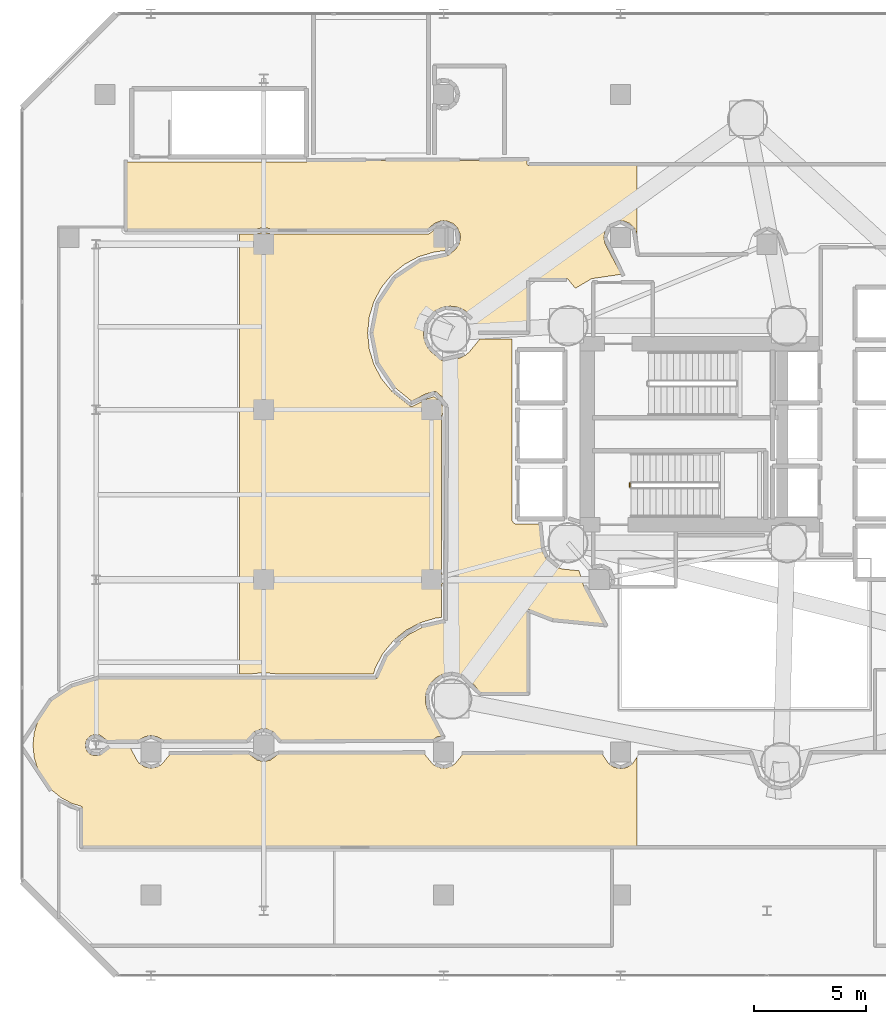
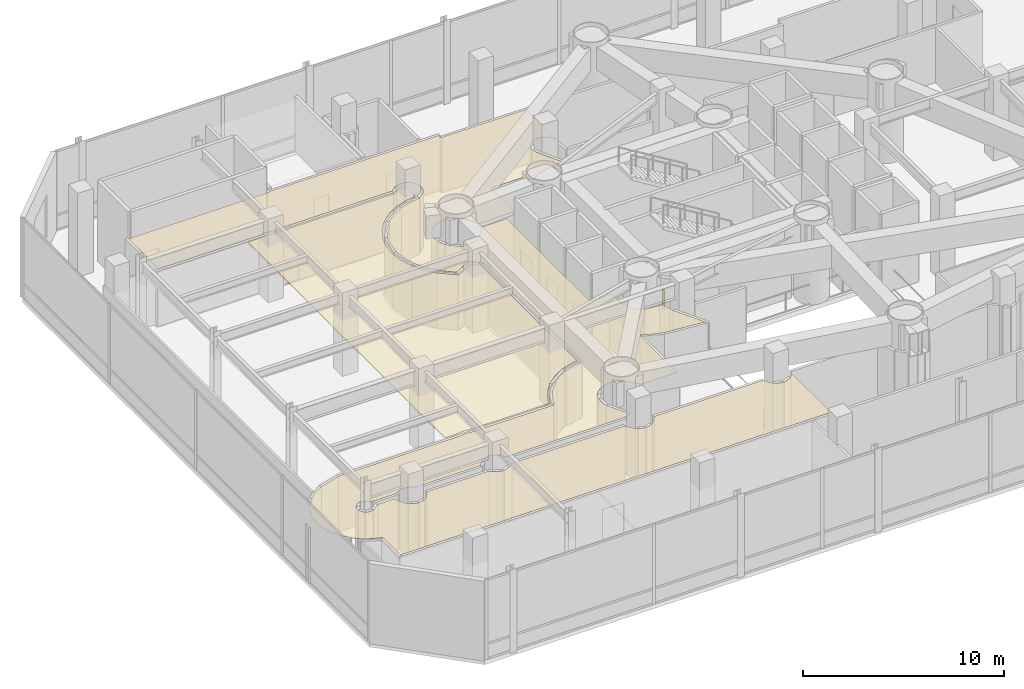
# One storey, part 36 of 40: 2 coverings, 1 railing.
"""IFC4 building model written with IfcOpenShell, lengths in metres."""

from ifc_helpers import new_model, si_unit, direction, frame, origin, origin_2d, place, context, subcontext, project, spatial, polyline, rectangle, outline, extrude, material, layer, layer_set, type_object, element, save


model = new_model("IFC4")

# Units and contexts
model_context = context("Model", 3, precision=1e-05, world=origin(), true_north=direction((0.0, 1.0)))
body_context = subcontext(model_context, "Body", "Model", "MODEL_VIEW")
ifc_project = project(units=[si_unit("LENGTHUNIT", "METRE"), si_unit("AREAUNIT", "SQUARE_METRE"), si_unit("VOLUMEUNIT", "CUBIC_METRE"), si_unit("PLANEANGLEUNIT", "RADIAN"), si_unit("MASSUNIT", "GRAM", prefix="KILO")], contexts=[model_context])

# Site, building, storey
site_placement = place(None, origin())
site = spatial("IfcSite", under=ifc_project, at=site_placement, CompositionType="ELEMENT")
building_placement = place(site_placement, origin())
building = spatial("IfcBuilding", under=site, at=building_placement, Name="Qianvela Tower", CompositionType="ELEMENT")
storey_placement = place(building_placement, frame((0.0, 0.0, 20.60009765625)))
storey = spatial("IfcBuildingStorey", under=building, at=storey_placement, Name="L04", CompositionType="ELEMENT", Elevation=20.60009765625)

# Coverings
ifc_material_1 = material(Name="Perforated Mineral Acoustic Ceiling Tile")
ifc_layer = layer(ifc_material_1, 0.02490234375)
ifc_layer_set = layer_set([ifc_layer], Name="Perforated Mineral Acoustic Ceiling Tile")
covering_type = type_object("IfcCoveringType", Name="COV-CEIL-ACOUSTIC-25", PredefinedType="CEILING", material=ifc_layer_set)
covering_1_placement = place(storey_placement, frame((0.0, 0.0, 3.375)))
element("IfcCovering", 1, at=covering_1_placement, inside=storey, type_object=covering_type, Name="L04 Acoustic Ceiling Bay 1 L04 Concourse Gallery Corridor", PredefinedType="CEILING", context=body_context, shape_type="SweptSolid", body=[
    extrude(outline(polyline([(7.6953125, 15.237548828125), (7.68896484375, 15.2412109375), (7.682373046875, 15.243896484375), (7.67529296875, 15.246337890625), (7.668212890625, 15.248046875), (7.660888671875, 15.249267578125), (7.4296875, 15.27197265625), (7.422119140625, 15.272216796875), (7.4140625, 15.27197265625), (7.406494140625, 15.270751953125), (7.398681640625, 15.268798828125), (7.391357421875, 15.26611328125), (7.247314453125, 15.20654296875), (7.239990234375, 15.203125), (7.2333984375, 15.19921875), (7.22705078125, 15.1943359375), (7.22119140625, 15.189208984375), (7.11083984375, 15.078857421875), (7.105712890625, 15.072998046875), (7.100830078125, 15.066650390625), (7.096923828125, 15.059814453125), (7.093505859375, 15.052734375), (7.03369140625, 14.90869140625), (7.031005859375, 14.9013671875), (7.029296875, 14.8935546875), (7.028076171875, 14.885986328125), (7.027587890625, 14.8779296875), (7.027587890625, 14.721923828125), (7.028076171875, 14.714111328125), (7.029296875, 14.706298828125), (7.031005859375, 14.69873046875), (7.03369140625, 14.69140625), (7.093505859375, 14.547119140625), (7.096923828125, 14.5400390625), (7.100830078125, 14.533203125), (7.105712890625, 14.527099609375), (7.11083984375, 14.521240234375), (7.22119140625, 14.410888671875), (7.22705078125, 14.405517578125), (7.2333984375, 14.40087890625), (7.239990234375, 14.39697265625), (7.247314453125, 14.3935546875), (7.391357421875, 14.333740234375), (7.398681640625, 14.3310546875), (7.406494140625, 14.3291015625), (7.4140625, 14.328125), (7.422119140625, 14.32763671875), (7.4296875, 14.328125), (7.660888671875, 14.350830078125), (7.668212890625, 14.351806640625), (7.675537109375, 14.353759765625), (7.6826171875, 14.356201171875), (7.689453125, 14.359130859375), (7.69580078125, 14.36279296875), (7.701904296875, 14.3671875), (8.094482421875, 14.67041015625), (9.038818359375, 14.6728515625), (9.344482421875, 14.101318359375), (9.348388671875, 14.094482421875), (9.35302734375, 14.088134765625), (9.433837890625, 13.989501953125), (9.439208984375, 13.98388671875), (9.445068359375, 13.978515625), (9.451416015625, 13.973876953125), (9.662109375, 13.8330078125), (9.6689453125, 13.828857421875), (9.676025390625, 13.82568359375), (9.683349609375, 13.822998046875), (9.69091796875, 13.821044921875), (9.939697265625, 13.771484375), (9.947509765625, 13.7705078125), (9.955322265625, 13.77001953125), (9.963134765625, 13.7705078125), (9.970947265625, 13.771484375), (10.2197265625, 13.821044921875), (10.227294921875, 13.822998046875), (10.23486328125, 13.82568359375), (10.241943359375, 13.828857421875), (10.354248046875, 13.888916015625), (10.361083984375, 13.89306640625), (10.3671875, 13.897705078125), (10.4658203125, 13.978515625), (10.4716796875, 13.98388671875), (10.476806640625, 13.989501953125), (10.81005859375, 14.3955078125), (14.338623046875, 14.404296875), (14.703857421875, 14.135009765625), (14.711181640625, 14.13037109375), (14.718994140625, 14.126220703125), (14.72705078125, 14.123291015625), (14.735595703125, 14.12109375), (14.984375, 14.071533203125), (14.9921875, 14.0703125), (15.0, 14.070068359375), (15.0078125, 14.0703125), (15.015625, 14.071533203125), (15.264404296875, 14.12109375), (15.27294921875, 14.123291015625), (15.281005859375, 14.126220703125), (15.288818359375, 14.13037109375), (15.29638671875, 14.135009765625), (15.665283203125, 14.40771484375), (22.166748046875, 14.423828125), (22.523193359375, 13.989501953125), (22.5283203125, 13.98388671875), (22.5341796875, 13.978515625), (22.6328125, 13.897705078125), (22.638916015625, 13.89306640625), (22.645751953125, 13.888916015625), (22.65283203125, 13.885498046875), (22.88720703125, 13.78857421875), (22.89453125, 13.785888671875), (22.902099609375, 13.783935546875), (22.909912109375, 13.782958984375), (23.036865234375, 13.7705078125), (23.044677734375, 13.77001953125), (23.052490234375, 13.7705078125), (23.17919921875, 13.782958984375), (23.18701171875, 13.783935546875), (23.194580078125, 13.785888671875), (23.201904296875, 13.78857421875), (23.436279296875, 13.885498046875), (23.443359375, 13.888916015625), (23.4501953125, 13.89306640625), (23.45654296875, 13.897705078125), (23.554931640625, 13.978515625), (23.560791015625, 13.98388671875), (23.566162109375, 13.989501953125), (23.899169921875, 14.3955078125), (30.12841796875, 14.4111328125), (30.4150390625, 13.981689453125), (30.419921875, 13.9755859375), (30.425048828125, 13.9697265625), (30.430908203125, 13.96435546875), (30.437255859375, 13.959716796875), (30.654541015625, 13.814453125), (30.661376953125, 13.810302734375), (30.66845703125, 13.80712890625), (30.67578125, 13.804443359375), (30.683349609375, 13.802490234375), (30.939697265625, 13.75146484375), (30.947509765625, 13.75048828125), (30.955322265625, 13.75), (30.963134765625, 13.75048828125), (30.970947265625, 13.75146484375), (31.227294921875, 13.802490234375), (31.235107421875, 13.804443359375), (31.242431640625, 13.80712890625), (31.24951171875, 13.810302734375), (31.256103515625, 13.814453125), (31.4736328125, 13.959716796875), (31.47998046875, 13.96435546875), (31.485595703125, 13.9697265625), (31.490966796875, 13.9755859375), (31.49560546875, 13.981689453125), (31.68701171875, 14.26806640625), (31.68701171875, 10.280029296875), (6.8798828125, 10.280029296875), (6.8798828125, 11.996337890625), (6.879638671875, 12.00439453125), (6.87841796875, 12.01220703125), (6.876708984375, 12.019775390625), (6.873779296875, 12.027099609375), (6.87060546875, 12.0341796875), (6.866455078125, 12.041015625), (6.86181640625, 12.047119140625), (6.856689453125, 12.052978515625), (6.850830078125, 12.058349609375), (6.844482421875, 12.06298828125), (6.837646484375, 12.06689453125), (6.83056640625, 12.0703125), (6.8232421875, 12.072998046875), (6.4208984375, 12.195068359375), (5.93359375, 12.45556640625), (5.506103515625, 12.80615234375), (5.155517578125, 13.2333984375), (4.89501953125, 13.720947265625), (4.734619140625, 14.25), (4.680419921875, 14.800048828125), (4.734619140625, 15.35009765625), (4.89501953125, 15.87890625), (5.155517578125, 16.366455078125), (5.506103515625, 16.793701171875), (5.93359375, 17.144287109375), (6.4208984375, 17.405029296875), (7.624267578125, 17.77001953125), (14.4921875, 17.77001953125), (14.500244140625, 17.7705078125), (15.0, 17.819580078125), (15.499755859375, 17.7705078125), (15.5078125, 17.77001953125), (20.012451171875, 17.77001953125), (20.020263671875, 17.7705078125), (20.028076171875, 17.771484375), (20.03564453125, 17.7734375), (20.043212890625, 17.776123046875), (20.050048828125, 17.779296875), (20.056884765625, 17.783447265625), (20.063232421875, 17.7880859375), (20.069091796875, 17.79345703125), (20.07421875, 17.79931640625), (20.0791015625, 17.8056640625), (20.0830078125, 17.812255859375), (20.086181640625, 17.8193359375), (20.089111328125, 17.826904296875), (20.198486328125, 18.187744140625), (20.51904296875, 18.78759765625), (20.95068359375, 19.3134765625), (21.476318359375, 19.744873046875), (22.076171875, 20.0654296875), (22.72705078125, 20.262939453125), (23.10791015625, 20.30029296875), (23.115478515625, 20.301513671875), (23.123291015625, 20.303466796875), (23.130615234375, 20.30615234375), (23.1376953125, 20.3095703125), (23.144287109375, 20.3134765625), (23.15087890625, 20.318115234375), (23.156494140625, 20.323486328125), (23.161865234375, 20.329345703125), (23.16650390625, 20.335693359375), (23.170654296875, 20.34228515625), (23.173828125, 20.349365234375), (23.176513671875, 20.356689453125), (23.178466796875, 20.364501953125), (23.1796875, 20.372314453125), (23.179931640625, 20.380126953125), (23.179931640625, 21.872314453125), (23.248046875, 22.182861328125), (23.24951171875, 22.19140625), (23.25, 22.199951171875), (23.24951171875, 22.20849609375), (23.248046875, 22.217041015625), (23.179931640625, 22.527587890625), (23.179931640625, 29.468994140625), (23.233642578125, 29.64599609375), (23.235595703125, 29.65380859375), (23.23681640625, 29.661376953125), (23.237060546875, 29.669189453125), (23.237060546875, 29.9306640625), (23.23681640625, 29.938720703125), (23.235595703125, 29.9462890625), (23.233642578125, 29.953857421875), (23.23095703125, 29.961181640625), (23.131103515625, 30.202880859375), (23.127685546875, 30.2099609375), (23.12353515625, 30.216796875), (23.118896484375, 30.222900390625), (23.03564453125, 30.324462890625), (23.0302734375, 30.330322265625), (23.0244140625, 30.335693359375), (22.6982421875, 30.603515625), (22.69189453125, 30.60791015625), (22.685302734375, 30.612060546875), (22.677978515625, 30.615478515625), (22.670654296875, 30.6181640625), (22.6630859375, 30.6201171875), (22.6552734375, 30.62109375), (22.6474609375, 30.62158203125), (22.6396484375, 30.62109375), (22.6318359375, 30.6201171875), (22.624267578125, 30.6181640625), (22.220458984375, 30.49560546875), (22.212890625, 30.492919921875), (22.205810546875, 30.489501953125), (21.6162109375, 30.17431640625), (20.884521484375, 30.774658203125), (20.453125, 31.30029296875), (20.132568359375, 31.900146484375), (19.93505859375, 32.551025390625), (19.868408203125, 33.22802734375), (19.93505859375, 33.90478515625), (20.132568359375, 34.555908203125), (20.453125, 35.155517578125), (20.884521484375, 35.681396484375), (21.410400390625, 36.11279296875), (22.01025390625, 36.43359375), (22.6611328125, 36.630859375), (23.20703125, 36.684814453125), (23.21484375, 36.685791015625), (23.222412109375, 36.687744140625), (23.229736328125, 36.6904296875), (23.23681640625, 36.69384765625), (23.24365234375, 36.69775390625), (23.25, 36.702392578125), (23.569091796875, 36.96435546875), (23.574951171875, 36.9697265625), (23.580078125, 36.9755859375), (23.5849609375, 36.981689453125), (23.72998046875, 37.19921875), (23.734130859375, 37.205810546875), (23.737548828125, 37.212890625), (23.740234375, 37.220458984375), (23.7421875, 37.22802734375), (23.793212890625, 37.484375), (23.794189453125, 37.4921875), (23.794677734375, 37.5), (23.794189453125, 37.5078125), (23.78125, 37.638671875), (23.7802734375, 37.646240234375), (23.7783203125, 37.65380859375), (23.775634765625, 37.661376953125), (23.675537109375, 37.90283203125), (23.672119140625, 37.909912109375), (23.668212890625, 37.916748046875), (23.66357421875, 37.923095703125), (23.658203125, 37.9287109375), (23.473388671875, 38.11376953125), (23.467529296875, 38.118896484375), (23.461181640625, 38.12353515625), (23.45458984375, 38.127685546875), (23.447509765625, 38.131103515625), (23.205810546875, 38.23095703125), (23.198486328125, 38.233642578125), (23.19091796875, 38.235595703125), (23.18310546875, 38.23681640625), (23.052490234375, 38.24951171875), (23.044677734375, 38.25), (23.036865234375, 38.24951171875), (22.906005859375, 38.23681640625), (22.898193359375, 38.235595703125), (22.890625, 38.233642578125), (22.88330078125, 38.23095703125), (22.641845703125, 38.131103515625), (22.634765625, 38.127685546875), (22.6279296875, 38.12353515625), (22.62158203125, 38.118896484375), (22.33056640625, 37.8798828125), (15.32763671875, 37.8798828125), (15.01708984375, 37.947998046875), (15.008544921875, 37.949462890625), (15.0, 37.949951171875), (14.991455078125, 37.949462890625), (14.98291015625, 37.947998046875), (14.67236328125, 37.8798828125), (8.8798828125, 37.8798828125), (8.8798828125, 40.8798828125), (16.89990234375, 40.8798828125), (16.908203125, 40.88037109375), (16.916015625, 40.881591796875), (16.923828125, 40.8837890625), (17.103759765625, 40.93994140625), (26.77001953125, 40.93994140625), (26.77001953125, 40.800048828125), (26.7705078125, 40.792236328125), (26.771484375, 40.784423828125), (26.7734375, 40.77685546875), (26.776123046875, 40.769287109375), (26.779296875, 40.76220703125), (26.783447265625, 40.755615234375), (26.7880859375, 40.749267578125), (26.79345703125, 40.743408203125), (26.79931640625, 40.73828125), (26.8056640625, 40.7333984375), (26.812255859375, 40.7294921875), (26.8193359375, 40.72607421875), (26.826904296875, 40.723388671875), (26.83447265625, 40.721435546875), (26.84228515625, 40.720458984375), (26.85009765625, 40.719970703125), (31.68701171875, 40.719970703125), (31.68701171875, 37.659912109375), (31.686279296875, 37.661376953125), (31.58642578125, 37.90283203125), (31.5830078125, 37.909912109375), (31.5791015625, 37.916748046875), (31.57421875, 37.923095703125), (31.569091796875, 37.9287109375), (31.38427734375, 38.11376953125), (31.37841796875, 38.118896484375), (31.3720703125, 38.12353515625), (31.365234375, 38.127685546875), (31.358154296875, 38.131103515625), (31.11669921875, 38.23095703125), (31.109375, 38.233642578125), (31.101806640625, 38.235595703125), (31.093994140625, 38.23681640625), (30.963134765625, 38.24951171875), (30.955322265625, 38.25), (30.947509765625, 38.24951171875), (30.939697265625, 38.24853515625), (30.683349609375, 38.197509765625), (30.67578125, 38.195556640625), (30.66845703125, 38.19287109375), (30.661376953125, 38.189697265625), (30.654541015625, 38.185546875), (30.437255859375, 38.040283203125), (30.430908203125, 38.03564453125), (30.425048828125, 38.0302734375), (30.419921875, 38.0244140625), (30.4150390625, 38.018310546875), (30.27001953125, 37.80078125), (30.265869140625, 37.794189453125), (30.262451171875, 37.787109375), (30.259765625, 37.779541015625), (30.2578125, 37.77197265625), (30.206787109375, 37.515625), (30.205810546875, 37.5078125), (30.205322265625, 37.5), (30.205810546875, 37.4921875), (30.206787109375, 37.484375), (30.2578125, 37.22802734375), (30.259765625, 37.220458984375), (30.262451171875, 37.212890625), (30.265869140625, 37.205810546875), (30.988037109375, 35.854736328125), (29.670166015625, 35.658447265625), (29.66259765625, 35.656982421875), (29.655029296875, 35.65478515625), (29.64794921875, 35.651611328125), (29.64111328125, 35.64794921875), (28.93408203125, 35.226318359375), (28.60205078125, 35.630859375), (28.5966796875, 35.63671875), (28.5908203125, 35.641845703125), (28.584716796875, 35.646484375), (28.577880859375, 35.650634765625), (28.57080078125, 35.65380859375), (28.563232421875, 35.656494140625), (28.5556640625, 35.658447265625), (28.548095703125, 35.65966796875), (28.5400390625, 35.659912109375), (26.85009765625, 35.659912109375), (26.84228515625, 35.65966796875), (26.83447265625, 35.658447265625), (26.826904296875, 35.656494140625), (26.8193359375, 35.65380859375), (26.812255859375, 35.650634765625), (26.8056640625, 35.646484375), (26.79931640625, 35.641845703125), (26.79345703125, 35.63671875), (26.7880859375, 35.630859375), (26.783447265625, 35.62451171875), (26.779296875, 35.61767578125), (26.776123046875, 35.610595703125), (26.7734375, 35.603271484375), (26.771484375, 35.595703125), (26.7705078125, 35.587890625), (26.77001953125, 35.580078125), (26.77001953125, 33.29736328125), (24.658203125, 33.2919921875), (24.33984375, 33.887939453125), (24.335693359375, 33.894775390625), (24.3310546875, 33.90087890625), (24.19189453125, 34.07080078125), (24.1865234375, 34.076416015625), (24.1806640625, 34.081787109375), (24.010986328125, 34.22119140625), (24.004638671875, 34.225830078125), (23.998046875, 34.229736328125), (23.80419921875, 34.333251953125), (23.797119140625, 34.336669921875), (23.789794921875, 34.33935546875), (23.57958984375, 34.403076171875), (23.572021484375, 34.40478515625), (23.564208984375, 34.406005859375), (23.345703125, 34.427490234375), (23.337890625, 34.427978515625), (23.330078125, 34.427490234375), (23.11181640625, 34.406005859375), (23.10400390625, 34.40478515625), (23.09619140625, 34.403076171875), (22.88623046875, 34.33935546875), (22.87890625, 34.336669921875), (22.87158203125, 34.333251953125), (22.677978515625, 34.229736328125), (22.67138671875, 34.225830078125), (22.6650390625, 34.22119140625), (22.495361328125, 34.081787109375), (22.489501953125, 34.076416015625), (22.484130859375, 34.07080078125), (22.344970703125, 33.90087890625), (22.340087890625, 33.894775390625), (22.336181640625, 33.887939453125), (22.232666015625, 33.6943359375), (22.229248046875, 33.687255859375), (22.226806640625, 33.6796875), (22.1630859375, 33.4697265625), (22.1611328125, 33.462158203125), (22.159912109375, 33.454345703125), (22.138427734375, 33.23583984375), (22.137939453125, 33.22802734375), (22.138427734375, 33.22021484375), (22.159912109375, 33.001708984375), (22.1611328125, 32.993896484375), (22.1630859375, 32.986328125), (22.226806640625, 32.776123046875), (22.229248046875, 32.768798828125), (22.232666015625, 32.76171875), (22.336181640625, 32.568115234375), (22.340087890625, 32.561279296875), (22.344970703125, 32.554931640625), (22.484130859375, 32.38525390625), (22.489501953125, 32.37939453125), (22.495361328125, 32.374267578125), (22.93701171875, 32.01171875), (22.943359375, 32.007080078125), (22.9501953125, 32.0029296875), (22.957275390625, 31.99951171875), (22.964599609375, 31.9970703125), (22.97216796875, 31.9951171875), (22.97998046875, 31.993896484375), (22.98779296875, 31.993408203125), (22.99560546875, 31.993896484375), (23.564208984375, 32.0498046875), (23.572021484375, 32.051025390625), (23.57958984375, 32.052978515625), (23.789794921875, 32.11669921875), (23.797119140625, 32.119384765625), (23.80419921875, 32.122802734375), (23.998046875, 32.226318359375), (24.004638671875, 32.230224609375), (24.010986328125, 32.23486328125), (24.1806640625, 32.374267578125), (24.1865234375, 32.37939453125), (24.19189453125, 32.38525390625), (24.656982421875, 32.951904296875), (26.099609375, 32.95556640625), (26.10595703125, 24.859375), (26.1064453125, 24.8515625), (26.107666015625, 24.84375), (26.109619140625, 24.836181640625), (26.112060546875, 24.82861328125), (26.115478515625, 24.821533203125), (26.119384765625, 24.81494140625), (26.164794921875, 24.747314453125), (26.169189453125, 24.740966796875), (26.174560546875, 24.735107421875), (26.180419921875, 24.72998046875), (26.186767578125, 24.725341796875), (26.193603515625, 24.72119140625), (26.20068359375, 24.718017578125), (26.275634765625, 24.686767578125), (26.282958984375, 24.68408203125), (26.29052734375, 24.68212890625), (26.29833984375, 24.68115234375), (26.30615234375, 24.6806640625), (27.31787109375, 24.679931640625), (27.421875, 23.623779296875), (27.423095703125, 23.615966796875), (27.425048828125, 23.6083984375), (27.48876953125, 23.398193359375), (27.4912109375, 23.390869140625), (27.49462890625, 23.3837890625), (27.59814453125, 23.18994140625), (27.602294921875, 23.183349609375), (27.60693359375, 23.177001953125), (27.74609375, 23.00732421875), (27.75146484375, 23.00146484375), (27.75732421875, 22.99609375), (27.927001953125, 22.85693359375), (27.933349609375, 22.852294921875), (27.93994140625, 22.84814453125), (28.1337890625, 22.74462890625), (28.140869140625, 22.7412109375), (28.148193359375, 22.73876953125), (28.3583984375, 22.675048828125), (28.365966796875, 22.673095703125), (28.373779296875, 22.671875), (29.09814453125, 22.6005859375), (29.304443359375, 21.92041015625), (29.30712890625, 21.9130859375), (29.310302734375, 21.906005859375), (30.210693359375, 20.2216796875), (27.923095703125, 20.447021484375), (27.272216796875, 20.64453125), (26.8876953125, 20.85009765625), (26.880615234375, 20.853515625), (26.873291015625, 20.85595703125), (26.865478515625, 20.85791015625), (26.85791015625, 20.859130859375), (26.85009765625, 20.859619140625), (26.84228515625, 20.859130859375), (26.83447265625, 20.85791015625), (26.826904296875, 20.85595703125), (26.8193359375, 20.853515625), (26.812255859375, 20.85009765625), (26.8056640625, 20.845947265625), (26.79931640625, 20.84130859375), (26.79345703125, 20.8359375), (26.7880859375, 20.830078125), (26.783447265625, 20.823974609375), (26.779296875, 20.817138671875), (26.776123046875, 20.81005859375), (26.7734375, 20.802734375), (26.771484375, 20.795166015625), (26.7705078125, 20.787353515625), (26.77001953125, 20.779541015625), (26.77001953125, 17.145751953125), (24.693359375, 17.140380859375), (24.24365234375, 17.688720703125), (24.23828125, 17.6943359375), (24.232666015625, 17.69970703125), (24.06591796875, 17.83642578125), (24.0595703125, 17.841064453125), (24.052734375, 17.84521484375), (23.86279296875, 17.94677734375), (23.855712890625, 17.9501953125), (23.84814453125, 17.952880859375), (23.641845703125, 18.015380859375), (23.63427734375, 18.017333984375), (23.62646484375, 18.0185546875), (23.411865234375, 18.03955078125), (23.404052734375, 18.0400390625), (23.396240234375, 18.03955078125), (23.181640625, 18.0185546875), (23.173828125, 18.017333984375), (23.166259765625, 18.015380859375), (22.959716796875, 17.952880859375), (22.952392578125, 17.9501953125), (22.9453125, 17.94677734375), (22.755126953125, 17.84521484375), (22.748291015625, 17.841064453125), (22.7421875, 17.83642578125), (22.575439453125, 17.69970703125), (22.569580078125, 17.6943359375), (22.564208984375, 17.688720703125), (22.427490234375, 17.52197265625), (22.4228515625, 17.515625), (22.418701171875, 17.5087890625), (22.317138671875, 17.318603515625), (22.313720703125, 17.3115234375), (22.311279296875, 17.30419921875), (22.24853515625, 17.097900390625), (22.24658203125, 17.090087890625), (22.24560546875, 17.08251953125), (22.224365234375, 16.867919921875), (22.22412109375, 16.860107421875), (22.224365234375, 16.852294921875), (22.24560546875, 16.6376953125), (22.24658203125, 16.6298828125), (22.24853515625, 16.622314453125), (22.311279296875, 16.415771484375), (22.313720703125, 16.408447265625), (22.317138671875, 16.4013671875), (22.955078125, 15.20751953125), (22.782958984375, 15.179443359375), (22.774658203125, 15.177734375), (22.7666015625, 15.175048828125), (22.759033203125, 15.17138671875), (22.751708984375, 15.167236328125), (22.569580078125, 15.046630859375), (15.74951171875, 15.029541015625), (15.42041015625, 15.39404296875), (15.41552734375, 15.399169921875), (15.41015625, 15.40380859375), (15.404296875, 15.40771484375), (15.398193359375, 15.411376953125), (15.3916015625, 15.414306640625), (15.157470703125, 15.511474609375), (15.14990234375, 15.51416015625), (15.142333984375, 15.51611328125), (15.134765625, 15.51708984375), (15.0078125, 15.529541015625), (15.0, 15.530029296875), (14.9921875, 15.529541015625), (14.865234375, 15.51708984375), (14.857666015625, 15.51611328125), (14.85009765625, 15.51416015625), (14.842529296875, 15.511474609375), (14.6083984375, 15.414306640625), (14.601806640625, 15.411376953125), (14.595703125, 15.40771484375), (14.58984375, 15.40380859375), (14.58447265625, 15.399169921875), (14.57958984375, 15.39404296875), (14.247314453125, 15.02587890625), (10.531005859375, 15.0166015625), (10.241943359375, 15.171142578125), (10.23486328125, 15.17431640625), (10.227294921875, 15.177001953125), (10.2197265625, 15.178955078125), (9.970947265625, 15.228515625), (9.963134765625, 15.2294921875), (9.955322265625, 15.22998046875), (9.947509765625, 15.2294921875), (9.939697265625, 15.228515625), (9.69091796875, 15.178955078125), (9.683349609375, 15.177001953125), (9.676025390625, 15.17431640625), (9.6689453125, 15.171142578125), (9.37451171875, 15.013671875), (7.99560546875, 15.01025390625), (7.701416015625, 15.2333984375), (7.6953125, 15.237548828125)])), origin(), (0.0, 0.0, 1.0), 0.02490234375),
])
covering_2_placement = place(storey_placement, frame((0.0, 0.0, 3.375)))
element("IfcCovering", 2, at=covering_2_placement, inside=storey, type_object=covering_type, Name="L04 Acoustic Ceiling Bay 2 L04 Music and Media Practice Lounge", PredefinedType="CEILING", context=body_context, shape_type="SweptSolid", body=[
    extrude(outline(polyline([(22.622802734375, 36.849853515625), (22.616455078125, 36.848876953125), (22.610107421875, 36.84716796875), (21.9326171875, 36.6416015625), (21.925048828125, 36.638916015625), (21.91796875, 36.635498046875), (21.293701171875, 36.3017578125), (21.286865234375, 36.2978515625), (21.280517578125, 36.293212890625), (20.733154296875, 35.843994140625), (20.727294921875, 35.838623046875), (20.72216796875, 35.832763671875), (20.27294921875, 35.285400390625), (20.268310546875, 35.279296875), (20.26416015625, 35.2724609375), (19.930419921875, 34.64794921875), (19.927001953125, 34.640869140625), (19.92431640625, 34.633544921875), (19.71875, 33.955810546875), (19.716796875, 33.9482421875), (19.7158203125, 33.9404296875), (19.646484375, 33.23583984375), (19.64599609375, 33.22802734375), (19.646484375, 33.22021484375), (19.7158203125, 32.515380859375), (19.716796875, 32.5078125), (19.71875, 32.5), (19.92431640625, 31.822509765625), (19.927001953125, 31.815185546875), (19.930419921875, 31.80810546875), (20.26416015625, 31.18359375), (20.268310546875, 31.1767578125), (20.27294921875, 31.17041015625), (20.72216796875, 30.623291015625), (20.7275390625, 30.6171875), (20.73388671875, 30.611572265625), (21.55029296875, 29.95458984375), (21.556640625, 29.949951171875), (21.563232421875, 29.946044921875), (21.5703125, 29.94287109375), (21.577392578125, 29.940185546875), (21.5849609375, 29.9384765625), (21.592529296875, 29.937255859375), (21.600341796875, 29.936767578125), (21.60791015625, 29.937255859375), (21.615478515625, 29.938232421875), (21.623046875, 29.940185546875), (21.63037109375, 29.942626953125), (21.63720703125, 29.94580078125), (22.297607421875, 30.287109375), (22.6162109375, 30.383544921875), (22.872802734375, 30.1728515625), (22.93408203125, 30.098388671875), (23.01513671875, 29.902587890625), (23.01513671875, 29.689697265625), (22.961181640625, 29.503173828125), (22.95947265625, 29.495849609375), (22.95849609375, 29.488525390625), (22.9580078125, 29.48095703125), (22.9580078125, 22.51904296875), (22.95849609375, 22.510498046875), (22.959716796875, 22.502197265625), (23.024658203125, 22.199951171875), (22.959716796875, 21.897705078125), (22.95849609375, 21.889404296875), (22.9580078125, 21.881103515625), (22.9580078125, 20.5087890625), (22.69140625, 20.482177734375), (22.68359375, 20.481201171875), (22.676025390625, 20.479248046875), (21.99853515625, 20.273681640625), (21.9912109375, 20.27099609375), (21.98388671875, 20.267578125), (21.359619140625, 19.933837890625), (21.352783203125, 19.9296875), (21.3466796875, 19.925048828125), (20.8037109375, 19.47998046875), (20.7978515625, 19.474609375), (20.79248046875, 19.468994140625), (20.335693359375, 18.912353515625), (20.3310546875, 18.906005859375), (20.326904296875, 18.899169921875), (19.996337890625, 18.27978515625), (19.992919921875, 18.27294921875), (19.990478515625, 18.265380859375), (19.9072265625, 17.991943359375), (15.5146484375, 17.991943359375), (15.0078125, 18.04150390625), (15.0, 18.0419921875), (14.9921875, 18.04150390625), (14.4853515625, 17.991943359375), (13.90771484375, 17.991943359375), (13.90771484375, 37.657958984375), (14.680908203125, 37.657958984375), (14.689453125, 37.658447265625), (14.69775390625, 37.659912109375), (15.0, 37.724609375), (15.30224609375, 37.659912109375), (15.310546875, 37.658447265625), (15.319091796875, 37.657958984375), (22.359130859375, 37.657958984375), (22.36669921875, 37.658203125), (22.3740234375, 37.659423828125), (22.38134765625, 37.6611328125), (22.38818359375, 37.66357421875), (22.395263671875, 37.66650390625), (22.401611328125, 37.67041015625), (22.40771484375, 37.674560546875), (22.727783203125, 37.919921875), (23.1201171875, 37.919921875), (23.1201171875, 36.915283203125), (22.622802734375, 36.849853515625)])), origin(), (0.0, 0.0, 1.0), 0.02490234375),
])

# Railing
ifc_material_2 = material(Name="Painted Tubular Steel Q355B", Category="steel")
railing_type = type_object("IfcRailingType", Name="RL-STAIR-GUARD-1200", PredefinedType="GUARDRAIL", material=ifc_material_2)
railing_placement = place(storey_placement, frame((31.3701171875, 26.35009765625, 0.0)))
element("IfcRailing", 3, at=railing_placement, inside=storey, type_object=railing_type, Name="L04 ST-2 stair guard 4", PredefinedType="GUARDRAIL", context=body_context, shape_type="SweptSolid", body=[
    extrude(rectangle(XDim=0.050048828125, YDim=0.0400390625, at=origin_2d()), frame((0.0, 0.0, 1.179931640625), z_axis=(0.0, 1.0, 0.0), x_axis=(-1.0, 0.0, 0.0)), (0.0, 0.0, 1.0), 0.159912109375),
    extrude(rectangle(XDim=0.050048828125, YDim=0.050048828125, at=origin_2d()), origin(), (0.0, 0.0, 1.0), 1.159912109375),
    extrude(rectangle(XDim=0.050048828125, YDim=0.050048828125, at=origin_2d()), frame((0.0, 0.159912109375, 0.0)), (0.0, 0.0, 1.0), 1.159912109375),
])

save(model, "model.ifc")
